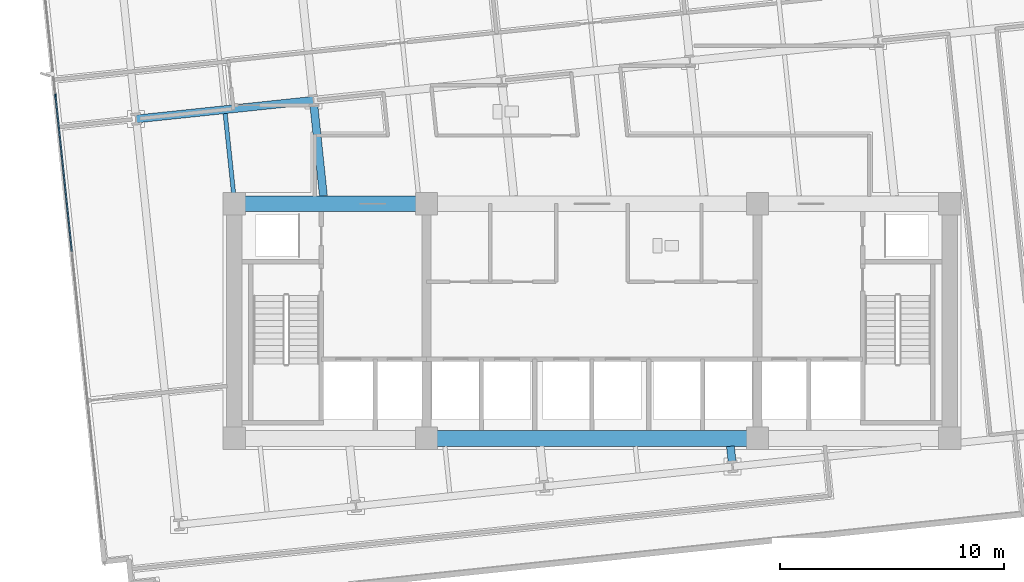
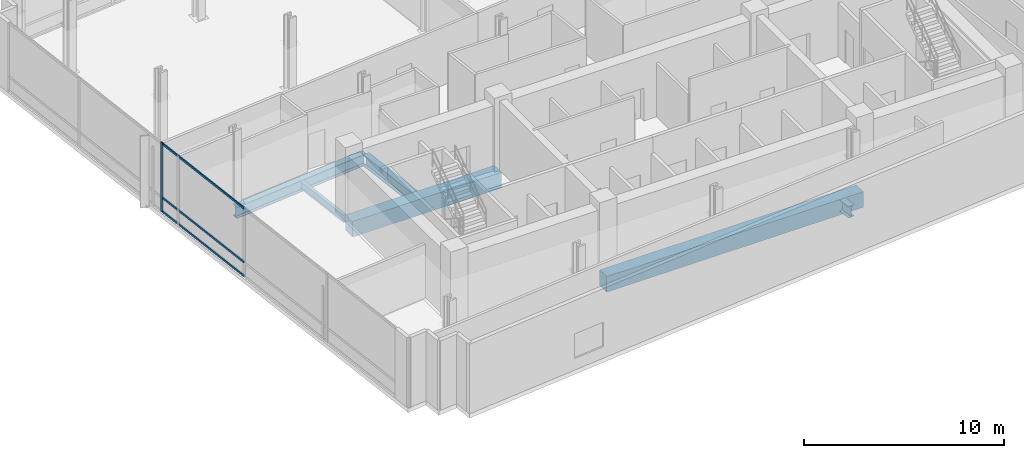
# One storey, part 3 of 20: 6 beams, 4 members, 1 element without a shape of its own.
"""IFC4 building model written with IfcOpenShell, lengths in metres."""

from ifc_helpers import new_model, si_unit, direction, frame, origin, origin_2d, place, context, subcontext, project, spatial, rectangle, i_section, extrude, material, material_profile, profile_set, type_object, element, aggregate, save


model = new_model("IFC4")

# Units and contexts
model_context = context("Model", 3, precision=1e-05, world=origin(), true_north=direction((0.0, 1.0)))
body_context = subcontext(model_context, "Body", "Model", "MODEL_VIEW")
ifc_project = project(units=[si_unit("LENGTHUNIT", "METRE"), si_unit("AREAUNIT", "SQUARE_METRE"), si_unit("VOLUMEUNIT", "CUBIC_METRE"), si_unit("PLANEANGLEUNIT", "RADIAN"), si_unit("MASSUNIT", "GRAM", prefix="KILO")], contexts=[model_context])

# Site, building, storey
site_placement = place(None, origin())
site = spatial("IfcSite", under=ifc_project, at=site_placement, CompositionType="ELEMENT")
building_placement = place(site_placement, origin())
building = spatial("IfcBuilding", under=site, at=building_placement, Name="Solmavex Isthmus Hotel", CompositionType="ELEMENT")
storey_placement = place(building_placement, frame((0.0, 0.0, 97.35009765625)))
storey = spatial("IfcBuildingStorey", under=building, at=storey_placement, Name="L26", CompositionType="ELEMENT", Elevation=97.35009765625)

# Beams
ifc_material_1 = material(Name="Steel ASTM A992 Grade 50", Category="steel")
ifc_material_profile_1 = material_profile(ifc_material_1, i_section(OverallWidth=0.354736328125, OverallDepth=0.695556640625, WebThickness=0.015380859375, FlangeThickness=0.02490234375, FilletRadius=0.017822265625, at=origin_2d()), Name="W27X146")
ifc_profile_set_1 = profile_set([ifc_material_profile_1], Name="Steel ASTM A992 Grade 50")
beam_type_1 = type_object("IfcBeamType", Name="BM-BG-W27X146", PredefinedType="BEAM", material=ifc_profile_set_1)
beam_1_placement = place(storey_placement, frame((-20.383056640625, 1.28564453125, -0.60791015625), z_axis=(0.994520217478, 0.10454442609, 0.0), x_axis=(-0.10454442609, 0.994520217478, 0.0)))
element("IfcBeam", 1, at=beam_1_placement, inside=storey, type_object=beam_type_1, Name="Floor Girder L26-UG07", PredefinedType="BEAM", context=body_context, shape_type="SweptSolid", body=[
    extrude(i_section(OverallWidth=0.354736328125, OverallDepth=0.695556640625, WebThickness=0.015380859375, FlangeThickness=0.02490234375, FilletRadius=0.017822265625, at=origin_2d()), origin(), (0.0, 0.0, 1.0), 7.968017578125),
])
beam_2_placement = place(storey_placement, frame((-12.010009765625, -2.14990234375, -0.60791015625), z_axis=(-0.104548881212, 0.994519749144, 0.0), x_axis=(-0.994519749144, -0.104548881212, 0.0)))
element("IfcBeam", 2, at=beam_2_placement, inside=storey, type_object=beam_type_1, Name="Floor Beam L26-VG29", PredefinedType="BEAM", context=body_context, shape_type="SweptSolid", body=[
    extrude(i_section(OverallWidth=0.354736328125, OverallDepth=0.695556640625, WebThickness=0.015380859375, FlangeThickness=0.02490234375, FilletRadius=0.017822265625, at=origin_2d()), origin(), (0.0, 0.0, 1.0), 4.114501953125),
])
beam_3_placement = place(storey_placement, frame((6.27099609375, -14.09912109375, -0.60791015625), z_axis=(-0.104381041728, 0.99453737895, 0.0), x_axis=(-0.99453737895, -0.104381041728, 0.0)))
element("IfcBeam", 3, at=beam_3_placement, inside=storey, type_object=beam_type_1, Name="Floor Beam L26-VG36", PredefinedType="BEAM", context=body_context, shape_type="SweptSolid", body=[
    extrude(i_section(OverallWidth=0.354736328125, OverallDepth=0.695556640625, WebThickness=0.015380859375, FlangeThickness=0.02490234375, FilletRadius=0.017822265625, at=origin_2d()), origin(), (0.0, 0.0, 1.0), 0.753173828125),
])
ifc_material_profile_2 = material_profile(ifc_material_1, i_section(OverallWidth=0.1904296875, OverallDepth=0.456787109375, WebThickness=0.009033203125, FlangeThickness=0.014404296875, FilletRadius=0.0126953125, at=origin_2d()), Name="W18X50")
ifc_profile_set_2 = profile_set([ifc_material_profile_2], Name="Steel ASTM A992 Grade 50")
beam_type_2 = type_object("IfcBeamType", Name="BM-BJ-W18X50", PredefinedType="JOIST", material=ifc_profile_set_2)
beam_4_placement = place(storey_placement, frame((-16.01611328125, -2.14990234375, -0.488525390625), z_axis=(-0.104505969986, 0.99452425925, 0.0), x_axis=(-0.99452425925, -0.104505969986, 0.0)))
element("IfcBeam", 4, at=beam_4_placement, inside=storey, type_object=beam_type_2, Name="Secondary Floor Joist L26-J02", PredefinedType="JOIST", context=body_context, shape_type="SweptSolid", body=[
    extrude(i_section(OverallWidth=0.1904296875, OverallDepth=0.456787109375, WebThickness=0.009033203125, FlangeThickness=0.014404296875, FilletRadius=0.0126953125, at=origin_2d()), origin(), (0.0, 0.0, 1.0), 3.69580078125),
])
ifc_material_2 = material(Name="Concrete C60/75", Category="concrete")
ifc_material_profile_3 = material_profile(ifc_material_2, rectangle(XDim=0.699951171875, YDim=0.949951171875, at=origin_2d()), Name="RC700X950")
ifc_profile_set_3 = profile_set([ifc_material_profile_3], Name="Concrete C60/75")
beam_type_3 = type_object("IfcBeamType", Name="BM-CB-700X950", PredefinedType="BEAM", material=ifc_profile_set_3)
beam_5_placement = place(storey_placement, frame((-7.39990234375, -13.0, -0.735107421875), z_axis=(1.0, 0.0, 0.0), x_axis=(0.0, 1.0, 0.0)))
element("IfcBeam", 5, at=beam_5_placement, inside=storey, type_object=beam_type_3, Name="Core Coupling Beam L26-CB2", PredefinedType="BEAM", context=body_context, shape_type="SweptSolid", body=[
    extrude(rectangle(XDim=0.699951171875, YDim=0.949951171875, at=origin_2d()), origin(), (0.0, 0.0, 1.0), 14.7998046875),
])
beam_6_placement = place(storey_placement, frame((-16.0, -2.5, -0.735107421875), z_axis=(1.0, 0.0, 0.0), x_axis=(0.0, 1.0, 0.0)))
element("IfcBeam", 6, at=beam_6_placement, inside=storey, type_object=beam_type_3, Name="Core Coupling Beam L26-CB4", PredefinedType="BEAM", context=body_context, shape_type="SweptSolid", body=[
    extrude(rectangle(XDim=0.699951171875, YDim=0.949951171875, at=origin_2d()), origin(), (0.0, 0.0, 1.0), 8.60009765625),
])

# Curtain wall, members
ifc_material_3 = material(Name="Aluminium alloy 6063-T6", Category="aluminium")
curtain_wall_type = type_object("IfcCurtainWallType", Name="CW-SYS-05", PredefinedType="NOTDEFINED", material=ifc_material_3)
curtain_wall_placement = place(storey_placement, origin())
curtain_wall = element("IfcCurtainWall", 7, at=curtain_wall_placement, inside=storey, type_object=curtain_wall_type, Name="Stick Curtain Wall CWL-L26-W1", PredefinedType="NOTDEFINED")
ifc_material_profile_4 = material_profile(ifc_material_3, rectangle(XDim=0.06494140625, YDim=0.159912109375, at=origin_2d()), Name="CWM-65X160")
ifc_profile_set_4 = profile_set([ifc_material_profile_4], Name="Aluminium alloy 6063-T6")
member_type_1 = type_object("IfcMemberType", Name="CW-SYS-05-MUL", PredefinedType="MULLION", material=ifc_profile_set_4)
member_1_placement = place(storey_placement, frame((-23.991455078125, 2.32421875, 0.0), z_axis=(0.0, 0.0, 1.0), x_axis=(-0.994521893044, -0.104528485381, 0.0)))
member_1 = element("IfcMember", 8, at=member_1_placement, type_object=member_type_1, Name="CW-05 mullion 4", PredefinedType="MULLION", context=body_context, shape_type="SweptSolid", body=[
    extrude(rectangle(XDim=0.06494140625, YDim=0.159912109375, at=origin_2d()), origin(), (0.0, 0.0, 1.0), 4.239990234375),
])
ifc_material_profile_5 = material_profile(ifc_material_3, rectangle(XDim=0.06494140625, YDim=0.125, at=origin_2d()), Name="CWT-65X125")
ifc_profile_set_5 = profile_set([ifc_material_profile_5], Name="Aluminium alloy 6063-T6")
member_type_2 = type_object("IfcMemberType", Name="CW-SYS-05-TRN", PredefinedType="USERDEFINED", material=ifc_profile_set_5)
member_2_placement = place(storey_placement, frame((-23.260986328125, -4.625, 0.0625), z_axis=(-0.104534948973, 0.994521213672, 0.0), x_axis=(-0.994521213672, -0.104534948973, 0.0)))
member_2 = element("IfcMember", 9, at=member_2_placement, type_object=member_type_2, Name="CW-05 transom 3.1", ObjectType="TRANSOM", PredefinedType="USERDEFINED", context=body_context, shape_type="SweptSolid", body=[
    extrude(rectangle(XDim=0.06494140625, YDim=0.125, at=origin_2d()), origin(), (0.0, 0.0, 1.0), 6.955078125),
])
member_3_placement = place(storey_placement, frame((-23.260986328125, -4.625, 0.89990234375), z_axis=(-0.104534948973, 0.994521213672, 0.0), x_axis=(-0.994521213672, -0.104534948973, 0.0)))
member_3 = element("IfcMember", 10, at=member_3_placement, type_object=member_type_2, Name="CW-05 transom 3.2", ObjectType="TRANSOM", PredefinedType="USERDEFINED", context=body_context, shape_type="SweptSolid", body=[
    extrude(rectangle(XDim=0.06494140625, YDim=0.125, at=origin_2d()), origin(), (0.0, 0.0, 1.0), 6.955078125),
])
member_4_placement = place(storey_placement, frame((-23.260986328125, -4.625, 4.177490234375), z_axis=(-0.104534948973, 0.994521213672, 0.0), x_axis=(-0.994521213672, -0.104534948973, 0.0)))
member_4 = element("IfcMember", 11, at=member_4_placement, type_object=member_type_2, Name="CW-05 transom 3.3", ObjectType="TRANSOM", PredefinedType="USERDEFINED", context=body_context, shape_type="SweptSolid", body=[
    extrude(rectangle(XDim=0.06494140625, YDim=0.125, at=origin_2d()), origin(), (0.0, 0.0, 1.0), 6.955078125),
])
aggregate(curtain_wall, [member_1, member_2, member_3, member_4])

save(model, "model.ifc")
